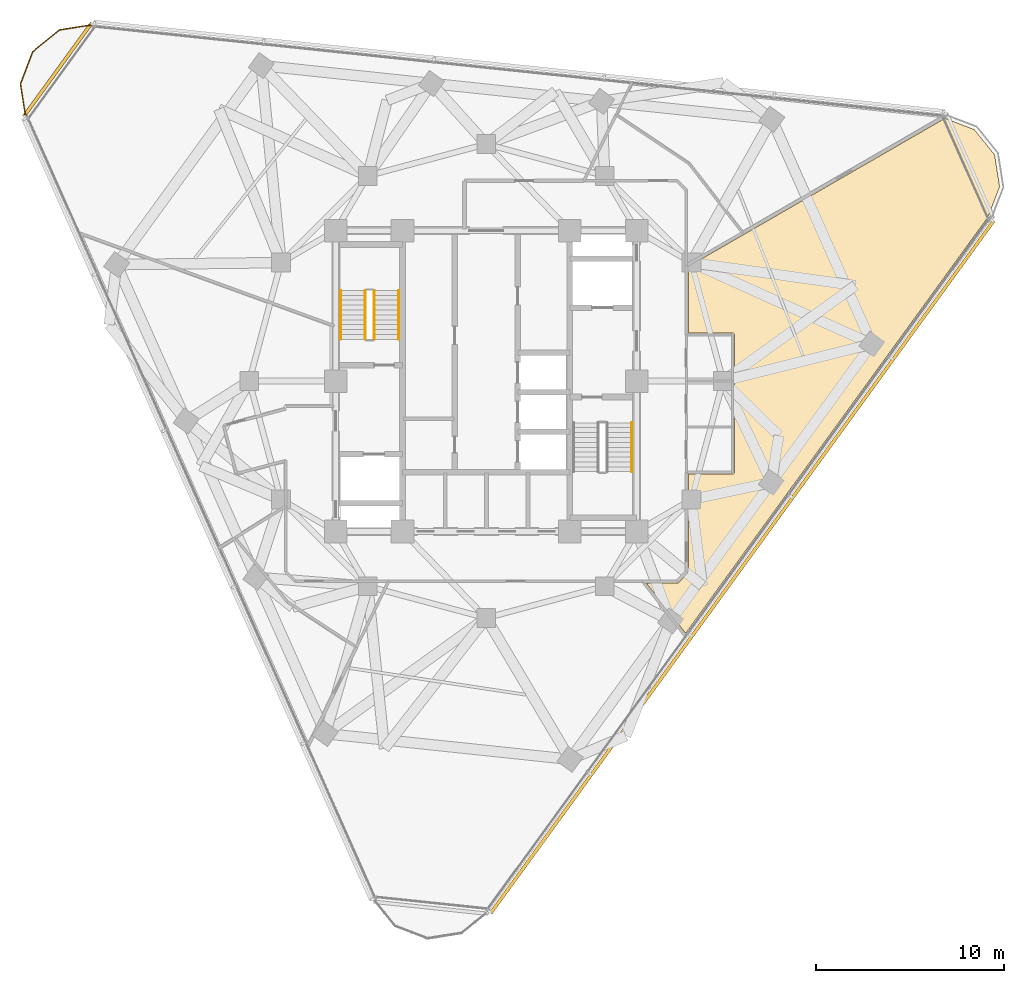
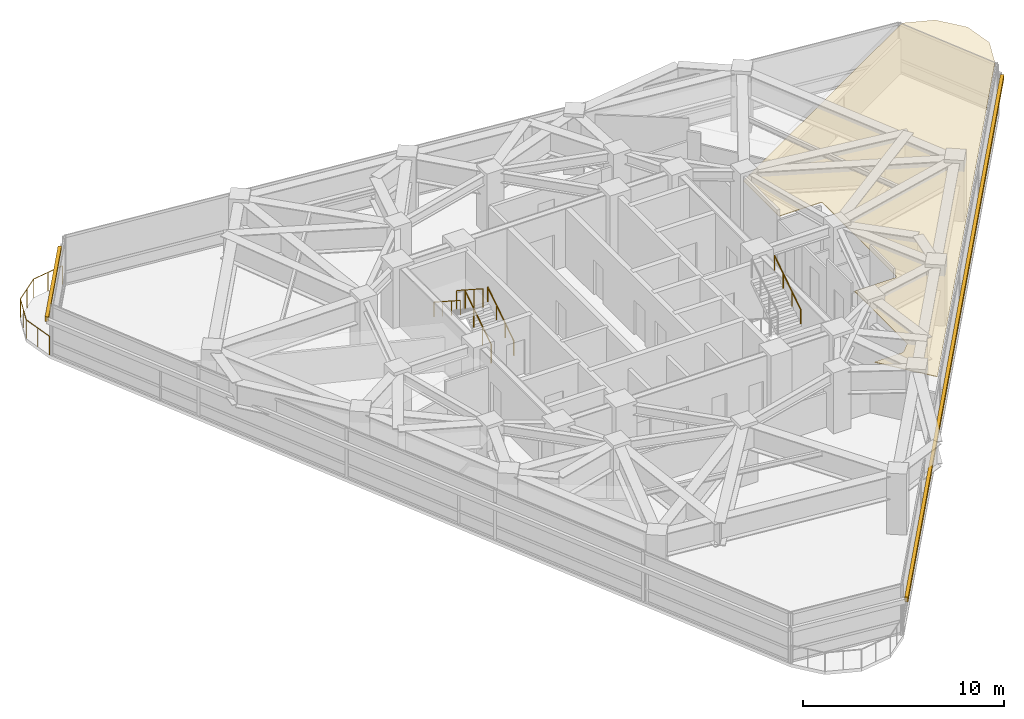
# One storey, part 13 of 14: 6 railings, 2 shading devices, 1 covering.
"""IFC4 building model written with IfcOpenShell, lengths in metres."""

from ifc_helpers import new_model, si_unit, direction, frame, origin, origin_2d, place, context, subcontext, project, spatial, polyline, rectangle, circle, outline, extrude, material, layer, layer_set, type_object, element, save


model = new_model("IFC4")

# Units and contexts
model_context = context("Model", 3, precision=1e-05, world=origin(), true_north=direction((0.0, 1.0)))
body_context = subcontext(model_context, "Body", "Model", "MODEL_VIEW")
ifc_project = project(units=[si_unit("LENGTHUNIT", "METRE"), si_unit("AREAUNIT", "SQUARE_METRE"), si_unit("VOLUMEUNIT", "CUBIC_METRE"), si_unit("PLANEANGLEUNIT", "RADIAN"), si_unit("MASSUNIT", "GRAM", prefix="KILO")], contexts=[model_context])

# Site, building, storey
site_placement = place(None, origin())
site = spatial("IfcSite", under=ifc_project, at=site_placement, CompositionType="ELEMENT")
building_placement = place(site_placement, origin())
building = spatial("IfcBuilding", under=site, at=building_placement, Name="Terralouvre Media Tower", CompositionType="ELEMENT")
storey_placement = place(building_placement, frame((0.0, 0.0, 244.800048828125)))
storey = spatial("IfcBuildingStorey", under=building, at=storey_placement, Name="L63", CompositionType="ELEMENT", Elevation=244.800048828125)

# Covering
ifc_material_1 = material(Name="Perforated aluminium acoustic ceiling baffle", Category="aluminium")
ifc_layer_1 = layer(ifc_material_1, 0.0400390625, Name="Perforated Acoustic Metal Tile Ceiling CL-AC1")
ifc_layer_set_1 = layer_set([ifc_layer_1], Name="Perforated aluminium acoustic ceiling baffle")
covering_type = type_object("IfcCoveringType", Name="Perforated Acoustic Metal Tile Ceiling CL-AC1", PredefinedType="CEILING", material=ifc_layer_set_1)
covering_placement = place(storey_placement, frame((0.0, 0.0, 2.97998046875), z_axis=(0.0, 0.0, 1.0), x_axis=(0.587785252292, 0.809016994375, 0.0)))
element("IfcCovering", 1, at=covering_placement, inside=storey, type_object=covering_type, Name="L63 Tournament Highlights Cinema 5 Acoustic Ceiling", PredefinedType="CEILING", context=body_context, shape_type="SweptSolid", body=[
    extrude(outline(polyline([(11.24658203125, -5.116455078125), (8.381591796875, -7.197998046875), (9.762939453125, -9.099365234375), (9.768310546875, -9.107421875), (9.77294921875, -9.1162109375), (9.776611328125, -9.125244140625), (9.779296875, -9.134765625), (9.781005859375, -9.144287109375), (9.781982421875, -9.154296875), (9.781982421875, -9.163818359375), (9.78076171875, -9.173583984375), (9.77880859375, -9.183349609375), (9.77587890625, -9.192626953125), (9.77197265625, -9.20166015625), (9.767333984375, -9.210205078125), (9.76171875, -9.218505859375), (9.755615234375, -9.225830078125), (9.74853515625, -9.232666015625), (9.740966796875, -9.239013671875), (3.8349609375, -13.52978515625), (3.826904296875, -13.53515625), (3.818115234375, -13.539794921875), (3.80908203125, -13.54345703125), (3.799560546875, -13.546142578125), (3.7900390625, -13.5478515625), (3.780029296875, -13.548828125), (3.7705078125, -13.548583984375), (3.760498046875, -13.547607421875), (3.7509765625, -13.545654296875), (3.74169921875, -13.542724609375), (3.732666015625, -13.538818359375), (3.72412109375, -13.5341796875), (3.7158203125, -13.528564453125), (3.708251953125, -13.522216796875), (3.701416015625, -13.515380859375), (3.6953125, -13.507568359375), (2.31396484375, -11.6064453125), (-1.892822265625, -14.662841796875), (-1.901123046875, -14.668212890625), (-1.90966796875, -14.6728515625), (-1.918701171875, -14.676513671875), (-1.92822265625, -14.67919921875), (-1.93798828125, -14.68115234375), (-1.94775390625, -14.681884765625), (-1.95751953125, -14.681884765625), (-1.96728515625, -14.680908203125), (-2.665771484375, -14.570068359375), (-2.67529296875, -14.568115234375), (-2.6845703125, -14.565185546875), (-2.693603515625, -14.561279296875), (-2.7021484375, -14.556640625), (-2.71044921875, -14.55126953125), (-2.718017578125, -14.544921875), (-2.724853515625, -14.537841796875), (-2.73095703125, -14.5302734375), (-3.685546875, -13.21630859375), (-4.6171875, -16.46435546875), (22.72119140625, -16.464599609375), (24.4111328125, -16.011474609375), (25.627197265625, -14.7958984375), (26.072021484375, -13.135009765625), (25.64111328125, -11.525390625), (14.3369140625, -6.492919921875), (11.24658203125, -5.116455078125)])), origin(), (0.0, 0.0, 1.0), 0.0400390625),
])

# Railings
ifc_material_2 = material(Name="Stainless steel 316 handrail and balustrade", Category="steel")
ifc_layer_2 = layer(ifc_material_2, 0.06005859375, Name="Roof Edge Safety Guardrail GR-ROOF1")
ifc_layer_set_2 = layer_set([ifc_layer_2], Name="Stainless steel 316 handrail and balustrade")
railing_type_1 = type_object("IfcRailingType", Name="Roof Edge Safety Guardrail GR-ROOF1", PredefinedType="GUARDRAIL", material=ifc_layer_set_2)
railing_1_placement = place(storey_placement, frame((-20.870361328125, 18.961181640625, 0.0)))
element("IfcRailing", 2, at=railing_1_placement, inside=storey, type_object=railing_type_1, Name="L63 Wind-Corner Perimeter Safety Guardrail C2", PredefinedType="GUARDRAIL", context=body_context, shape_type="SweptSolid", body=[
    extrude(circle(Radius=0.02099609375, at=origin_2d()), frame((0.0, 0.0, 1.12890625), z_axis=(-0.987731695444, -0.156160487372, 0.0), x_axis=(0.156160487372, -0.987731695444, 0.0)), (0.0, 0.0, 1.0), 1.8369140625),
    extrude(circle(Radius=0.02099609375, at=origin_2d()), frame((-1.814453125, -0.286865234375, 1.12890625), z_axis=(-0.777198436724, -0.629255583967, 0.0), x_axis=(0.629255583967, -0.777198436724, 0.0)), (0.0, 0.0, 1.0), 1.836669921875),
    extrude(circle(Radius=0.02099609375, at=origin_2d()), frame((-3.241943359375, -1.442626953125, 1.12890625), z_axis=(-0.35822186013, -0.933636491856, 0.0), x_axis=(0.933636491856, -0.35822186013, 0.0)), (0.0, 0.0, 1.0), 1.836669921875),
    extrude(circle(Radius=0.02099609375, at=origin_2d()), frame((-3.89990234375, -3.157470703125, 1.12890625), z_axis=(0.156699635824, -0.987646305178, 0.0), x_axis=(0.987646305178, 0.156699635824, 0.0)), (0.0, 0.0, 1.0), 1.8369140625),
    extrude(circle(Radius=0.01904296875, at=origin_2d()), origin(), (0.0, 0.0, 1.0), 1.10791015625),
    extrude(circle(Radius=0.01904296875, at=origin_2d()), frame((-0.9072265625, -0.1435546875, 0.0)), (0.0, 0.0, 1.0), 1.10791015625),
    extrude(circle(Radius=0.01904296875, at=origin_2d()), frame((-1.814453125, -0.286865234375, 0.0)), (0.0, 0.0, 1.0), 1.10791015625),
    extrude(circle(Radius=0.01904296875, at=origin_2d()), frame((-2.5283203125, -0.86474609375, 0.0)), (0.0, 0.0, 1.0), 1.10791015625),
    extrude(circle(Radius=0.01904296875, at=origin_2d()), frame((-3.241943359375, -1.442626953125, 0.0)), (0.0, 0.0, 1.0), 1.10791015625),
    extrude(circle(Radius=0.01904296875, at=origin_2d()), frame((-3.57080078125, -2.300048828125, 0.0)), (0.0, 0.0, 1.0), 1.10791015625),
    extrude(circle(Radius=0.01904296875, at=origin_2d()), frame((-3.89990234375, -3.157470703125, 0.0)), (0.0, 0.0, 1.0), 1.10791015625),
    extrude(circle(Radius=0.01904296875, at=origin_2d()), frame((-3.755859375, -4.064453125, 0.0)), (0.0, 0.0, 1.0), 1.10791015625),
    extrude(circle(Radius=0.01904296875, at=origin_2d()), frame((-3.612060546875, -4.9716796875, 0.0)), (0.0, 0.0, 1.0), 1.10791015625),
])
ifc_material_3 = material(Name="Stainless steel 316 handrail and balustrade", Category="steel")
ifc_layer_3 = layer(ifc_material_3, 0.050048828125, Name="Stair Flight Wall Handrail HR-INT1")
ifc_layer_set_3 = layer_set([ifc_layer_3], Name="Stainless steel 316 handrail and balustrade")
railing_type_2 = type_object("IfcRailingType", Name="Stair Flight Wall Handrail HR-INT1", PredefinedType="HANDRAIL", material=ifc_layer_set_3)
railing_2_placement = place(storey_placement, frame((-4.64990234375, 2.219970703125, 0.168212890625)))
element("IfcRailing", 3, at=railing_2_placement, inside=storey, type_object=railing_type_2, Name="L63 ST-01 stair handrail 1", PredefinedType="HANDRAIL", context=body_context, shape_type="SweptSolid", body=[
    extrude(circle(Radius=0.02392578125, at=origin_2d()), frame((0.0, 0.0, 0.8759765625), z_axis=(0.0, 0.839684365666, 0.543074733399), x_axis=(-1.0, 0.0, 0.0)), (0.0, 0.0, 1.0), 3.096435546875),
    extrude(circle(Radius=0.02099609375, at=origin_2d()), origin(), (0.0, 0.0, 1.0), 0.851806640625),
    extrude(circle(Radius=0.02099609375, at=origin_2d()), frame((0.0, 0.86669921875, 0.560546875)), (0.0, 0.0, 1.0), 0.851806640625),
    extrude(circle(Radius=0.02099609375, at=origin_2d()), frame((0.0, 1.7333984375, 1.12109375)), (0.0, 0.0, 1.0), 0.851806640625),
    extrude(circle(Radius=0.02099609375, at=origin_2d()), frame((0.0, 2.60009765625, 1.681640625)), (0.0, 0.0, 1.0), 0.851806640625),
])
railing_3_placement = place(storey_placement, frame((-7.72998046875, 4.820068359375, 2.01806640625)))
element("IfcRailing", 4, at=railing_3_placement, inside=storey, type_object=railing_type_2, Name="L63 ST-01 stair handrail 2", PredefinedType="HANDRAIL", context=body_context, shape_type="SweptSolid", body=[
    extrude(circle(Radius=0.02392578125, at=origin_2d()), frame((0.0, 0.0, 0.8759765625), z_axis=(0.0, -0.839648411786, 0.543130320075), x_axis=(1.0, 0.0, 0.0)), (0.0, 0.0, 1.0), 3.0966796875),
    extrude(circle(Radius=0.02099609375, at=origin_2d()), origin(), (0.0, 0.0, 1.0), 0.851806640625),
    extrude(circle(Radius=0.02099609375, at=origin_2d()), frame((0.0, -0.86669921875, 0.560546875)), (0.0, 0.0, 1.0), 0.851806640625),
    extrude(circle(Radius=0.02099609375, at=origin_2d()), frame((0.0, -1.7333984375, 1.121337890625)), (0.0, 0.0, 1.0), 0.851806640625),
    extrude(circle(Radius=0.02099609375, at=origin_2d()), frame((0.0, -2.60009765625, 1.681884765625)), (0.0, 0.0, 1.0), 0.851806640625),
])
railing_4_placement = place(storey_placement, frame((7.72998046875, -4.820068359375, 2.01806640625)))
element("IfcRailing", 5, at=railing_4_placement, inside=storey, type_object=railing_type_2, Name="L63 ST-02 stair handrail 2", PredefinedType="HANDRAIL", context=body_context, shape_type="SweptSolid", body=[
    extrude(circle(Radius=0.02392578125, at=origin_2d()), frame((0.0, 0.0, 0.8759765625), z_axis=(0.0, 0.839648411786, 0.543130320075), x_axis=(-1.0, 0.0, 0.0)), (0.0, 0.0, 1.0), 3.0966796875),
    extrude(circle(Radius=0.02099609375, at=origin_2d()), origin(), (0.0, 0.0, 1.0), 0.851806640625),
    extrude(circle(Radius=0.02099609375, at=origin_2d()), frame((0.0, 0.86669921875, 0.560546875)), (0.0, 0.0, 1.0), 0.851806640625),
    extrude(circle(Radius=0.02099609375, at=origin_2d()), frame((0.0, 1.7333984375, 1.121337890625)), (0.0, 0.0, 1.0), 0.851806640625),
    extrude(circle(Radius=0.02099609375, at=origin_2d()), frame((0.0, 2.60009765625, 1.681884765625)), (0.0, 0.0, 1.0), 0.851806640625),
])
ifc_material_4 = material(Name="Stainless steel 316 handrail and balustrade", Category="steel")
ifc_layer_4 = layer(ifc_material_4, 0.050048828125, Name="Stairwell Safety Guardrail GR-INT1")
ifc_layer_set_4 = layer_set([ifc_layer_4], Name="Stainless steel 316 handrail and balustrade")
railing_type_3 = type_object("IfcRailingType", Name="Stairwell Safety Guardrail GR-INT1", PredefinedType="GUARDRAIL", material=ifc_layer_set_4)
railing_5_placement = place(storey_placement, frame((-5.949951171875, 2.219970703125, 0.168212890625)))
element("IfcRailing", 6, at=railing_5_placement, inside=storey, type_object=railing_type_3, Name="L63 ST-01 stair guard 1", PredefinedType="GUARDRAIL", context=body_context, shape_type="SweptSolid", body=[
    extrude(circle(Radius=0.02392578125, at=origin_2d()), frame((0.0, 0.0, 1.1259765625), z_axis=(0.0, 0.839684365666, 0.543074733399), x_axis=(-1.0, 0.0, 0.0)), (0.0, 0.0, 1.0), 3.096435546875),
    extrude(circle(Radius=0.02099609375, at=origin_2d()), origin(), (0.0, 0.0, 1.0), 1.101806640625),
    extrude(circle(Radius=0.02099609375, at=origin_2d()), frame((0.0, 0.86669921875, 0.560546875)), (0.0, 0.0, 1.0), 1.101806640625),
    extrude(circle(Radius=0.02099609375, at=origin_2d()), frame((0.0, 1.7333984375, 1.12109375)), (0.0, 0.0, 1.0), 1.101806640625),
    extrude(circle(Radius=0.02099609375, at=origin_2d()), frame((0.0, 2.60009765625, 1.681640625)), (0.0, 0.0, 1.0), 1.101806640625),
])
railing_6_placement = place(storey_placement, frame((-6.429931640625, 4.820068359375, 2.01806640625)))
element("IfcRailing", 7, at=railing_6_placement, inside=storey, type_object=railing_type_3, Name="L63 ST-01 stair guard 3", PredefinedType="GUARDRAIL", context=body_context, shape_type="SweptSolid", body=[
    extrude(circle(Radius=0.02392578125, at=origin_2d()), frame((0.0, 0.0, 1.1259765625), z_axis=(0.0, -0.839648411786, 0.543130320075), x_axis=(1.0, 0.0, 0.0)), (0.0, 0.0, 1.0), 3.0966796875),
    extrude(circle(Radius=0.02099609375, at=origin_2d()), origin(), (0.0, 0.0, 1.0), 1.101806640625),
    extrude(circle(Radius=0.02099609375, at=origin_2d()), frame((0.0, -0.86669921875, 0.560546875)), (0.0, 0.0, 1.0), 1.101806640625),
    extrude(circle(Radius=0.02099609375, at=origin_2d()), frame((0.0, -1.7333984375, 1.121337890625)), (0.0, 0.0, 1.0), 1.101806640625),
    extrude(circle(Radius=0.02099609375, at=origin_2d()), frame((0.0, -2.60009765625, 1.681884765625)), (0.0, 0.0, 1.0), 1.101806640625),
])

# Shading devices
ifc_material_5 = material(Name="Extruded terracotta baguette sunshade louvres", Category="masonry")
shading_device_type = type_object("IfcShadingDeviceType", Name="Terracotta Baguette Sunshade Louvre Screen TB-LV1", PredefinedType="USERDEFINED", material=ifc_material_5)
shading_device_1_placement = place(storey_placement, frame((13.611572265625, -9.889404296875, 2.02392578125), z_axis=(0.0, 0.0, 1.0), x_axis=(0.587785300879, 0.809016959074, 0.0)))
element("IfcShadingDevice", 8, at=shading_device_1_placement, inside=storey, type_object=shading_device_type, Name="CW-L63-F0 Terracotta Baguette Sunshade Louvre", ObjectType="BAGUETTE", PredefinedType="USERDEFINED", context=body_context, shape_type="SweptSolid", body=[
    extrude(rectangle(XDim=45.5, YDim=0.179931640625, at=origin_2d()), origin(), (0.0, 0.0, 1.0), 0.280029296875),
])
shading_device_2_placement = place(storey_placement, frame((-22.785400390625, 16.5546875, 2.02392578125), z_axis=(0.0, 0.0, 1.0), x_axis=(-0.58778588998, -0.809016531067, 0.0)))
element("IfcShadingDevice", 9, at=shading_device_2_placement, inside=storey, type_object=shading_device_type, Name="CW-L63-C2 Terracotta Baguette Sunshade Louvre", ObjectType="BAGUETTE", PredefinedType="USERDEFINED", context=body_context, shape_type="SweptSolid", body=[
    extrude(rectangle(XDim=6.148681640625, YDim=0.179931640625, at=origin_2d()), origin(), (0.0, 0.0, 1.0), 0.280029296875),
])

save(model, "model.ifc")
